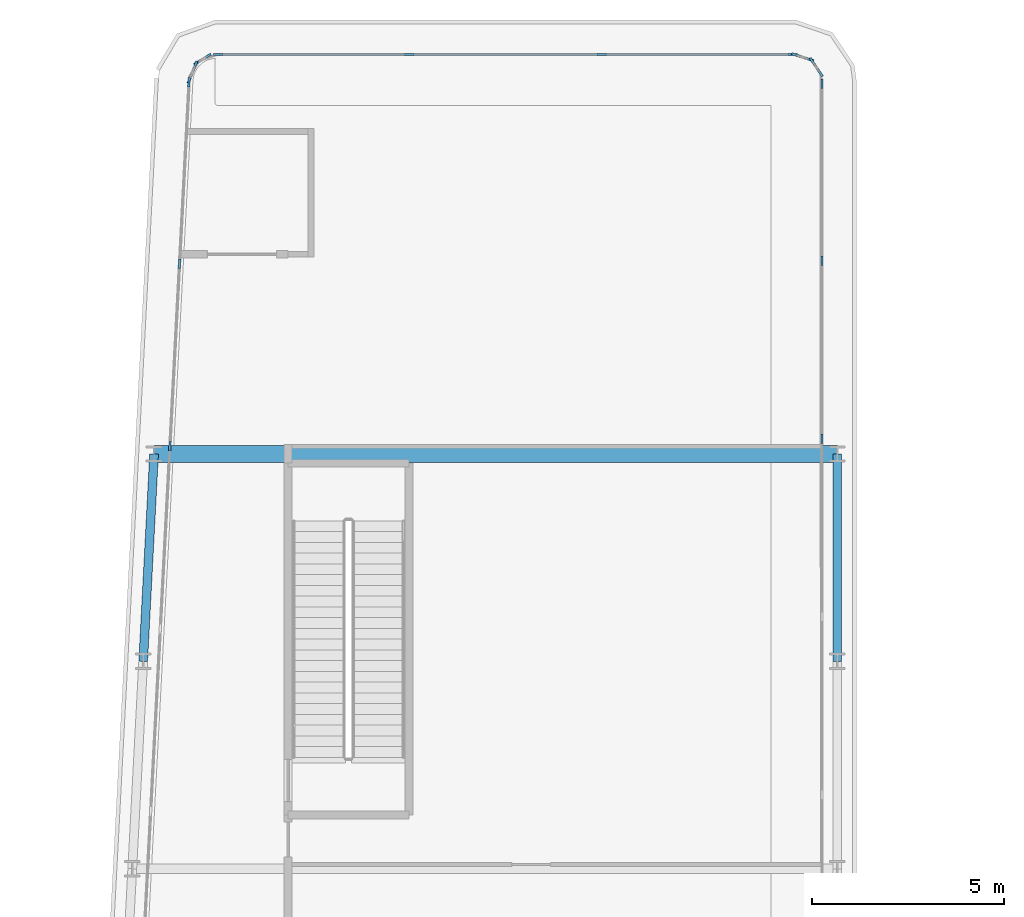
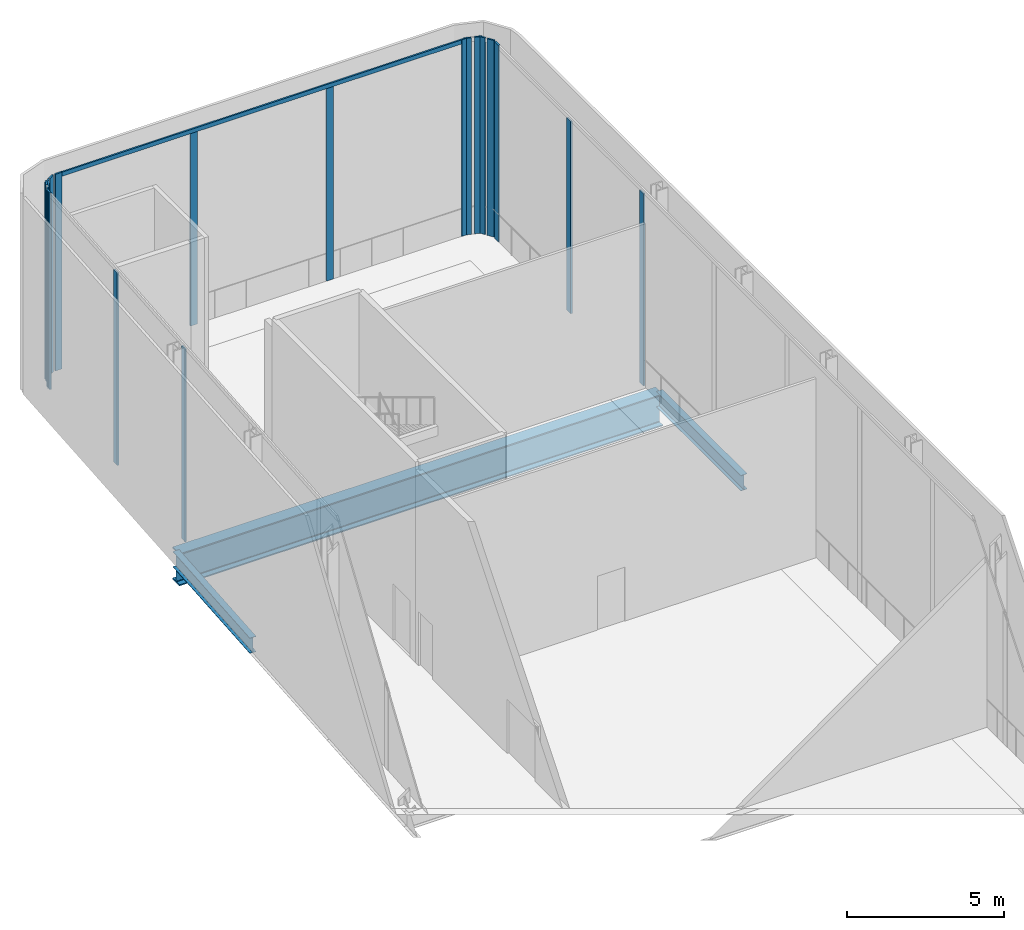
# One storey, part 18 of 37: 19 members, 3 beams, 7 elements without a shape of their own.
"""IFC4 building model written with IfcOpenShell, lengths in metres."""

from ifc_helpers import new_model, si_unit, direction, frame, origin, origin_2d, place, context, subcontext, project, spatial, rectangle, i_section, extrude, material, layer, layer_set, material_profile, profile_set, type_object, element, aggregate, save


model = new_model("IFC4")

# Units and contexts
model_context = context("Model", 3, precision=1e-05, world=origin(), true_north=direction((0.0, 1.0)))
body_context = subcontext(model_context, "Body", "Model", "MODEL_VIEW")
ifc_project = project(units=[si_unit("LENGTHUNIT", "METRE"), si_unit("AREAUNIT", "SQUARE_METRE"), si_unit("VOLUMEUNIT", "CUBIC_METRE"), si_unit("PLANEANGLEUNIT", "RADIAN"), si_unit("MASSUNIT", "GRAM", prefix="KILO")], contexts=[model_context])

# Site, building, storey
site_placement = place(None, origin())
site = spatial("IfcSite", under=ifc_project, at=site_placement, CompositionType="ELEMENT")
building_placement = place(site_placement, origin())
building = spatial("IfcBuilding", under=site, at=building_placement, Name="Kheshtan School and Residences Tower", CompositionType="ELEMENT")
storey_placement = place(building_placement, frame((0.0, 0.0, 144.800048828125)))
storey = spatial("IfcBuildingStorey", under=building, at=storey_placement, Name="L34", CompositionType="ELEMENT", Elevation=144.800048828125)

# Beams
ifc_material_1 = material(Name="Steel ASTM A992 Grade 50", Category="steel")
ifc_material_profile_1 = material_profile(ifc_material_1, i_section(OverallWidth=0.22802734375, OverallDepth=0.60302734375, WebThickness=0.010498046875, FlangeThickness=0.014892578125, FilletRadius=0.013427734375, at=origin_2d()), Name="W610x101")
ifc_profile_set_1 = profile_set([ifc_material_profile_1], Name="Steel ASTM A992 Grade 50")
beam_type_1 = type_object("IfcBeamType", Name="Beam SP2 W610x101 ASTM A992 Grade 50", PredefinedType="BEAM", material=ifc_profile_set_1)
beam_1_placement = place(storey_placement, frame((47.60009765625, 88.800048828125, -0.45166015625), z_axis=(0.0, -1.0, 0.0), x_axis=(1.0, 0.0, 0.0)))
element("IfcBeam", 1, at=beam_1_placement, inside=storey, type_object=beam_type_1, Name="Spandrel beam C099-C091", PredefinedType="BEAM", context=body_context, shape_type="SweptSolid", body=[
    extrude(i_section(OverallWidth=0.22802734375, OverallDepth=0.60302734375, WebThickness=0.010498046875, FlangeThickness=0.014892578125, FilletRadius=0.013427734375, at=origin_2d()), origin(), (0.0, 0.0, 1.0), 5.400146484375),
])
beam_2_placement = place(storey_placement, frame((29.527099609375, 83.39990234375, -0.45166015625), z_axis=(0.05250670125, 0.998620571751, 0.0), x_axis=(-0.998620571751, 0.05250670125, 0.0)))
element("IfcBeam", 2, at=beam_2_placement, inside=storey, type_object=beam_type_1, Name="Spandrel beam C090-C098", PredefinedType="BEAM", context=body_context, shape_type="SweptSolid", body=[
    extrude(i_section(OverallWidth=0.22802734375, OverallDepth=0.60302734375, WebThickness=0.010498046875, FlangeThickness=0.014892578125, FilletRadius=0.013427734375, at=origin_2d()), origin(), (0.0, 0.0, 1.0), 5.40771484375),
])

# Curtain wall, members
ifc_material_2 = material(Name="Clear low-e glass in thermally broken aluminium frame", Category="aluminium")
ifc_layer = layer(ifc_material_2, 0.25)
ifc_layer_set = layer_set([ifc_layer], Name="Curtain wall CW-K")
curtain_wall_type = type_object("IfcCurtainWallType", Name="Curtain wall CW-K", PredefinedType="NOTDEFINED", material=ifc_layer_set)
curtain_wall_1_placement = place(storey_placement, origin())
curtain_wall_1 = element("IfcCurtainWall", 3, at=curtain_wall_1_placement, inside=storey, type_object=curtain_wall_type, Name="Curtain wall CWK18", PredefinedType="NOTDEFINED")
ifc_material_3 = material(Name="Thermally broken aluminium, dark bronze anodised", Category="aluminium")
ifc_material_profile_2 = material_profile(ifc_material_3, rectangle(XDim=0.06005859375, YDim=0.25, at=origin_2d()), Name="CW-K mullion 60x250")
ifc_profile_set_2 = profile_set([ifc_material_profile_2], Name="Thermally broken aluminium, dark bronze anodised")
member_type_1 = type_object("IfcMemberType", Name="CW-K mullion 60x250", PredefinedType="MULLION", material=ifc_profile_set_2)
member_1_placement = place(storey_placement, frame((30.221923828125, 89.001953125, 0.0), z_axis=(0.0, 0.0, 1.0), x_axis=(-0.998617497599, 0.05256513568, 0.0)))
member_1 = element("IfcMember", 4, at=member_1_placement, type_object=member_type_1, Name="CWK18 mullion 13", PredefinedType="MULLION", context=body_context, shape_type="SweptSolid", body=[
    extrude(rectangle(XDim=0.06005859375, YDim=0.25, at=origin_2d()), origin(), (0.0, 0.0, 1.0), 7.489990234375),
])
member_2_placement = place(storey_placement, frame((30.471923828125, 93.754150390625, 0.0), z_axis=(0.0, 0.0, 1.0), x_axis=(-0.998617497599, 0.05256513568, 0.0)))
member_2 = element("IfcMember", 5, at=member_2_placement, type_object=member_type_1, Name="CWK18 mullion 14", PredefinedType="MULLION", context=body_context, shape_type="SweptSolid", body=[
    extrude(rectangle(XDim=0.06005859375, YDim=0.25, at=origin_2d()), origin(), (0.0, 0.0, 1.0), 7.489990234375),
])
member_3_placement = place(storey_placement, frame((30.720458984375, 98.476318359375, 0.0), z_axis=(0.0, 0.0, 1.0), x_axis=(-0.998617497599, 0.05256513568, 0.0)))
member_3 = element("IfcMember", 6, at=member_3_placement, type_object=member_type_1, Name="CWK18 mullion 15", PredefinedType="MULLION", context=body_context, shape_type="SweptSolid", body=[
    extrude(rectangle(XDim=0.06005859375, YDim=0.25, at=origin_2d()), origin(), (0.0, 0.0, 1.0), 7.64990234375),
])
aggregate(curtain_wall_1, [member_1, member_2, member_3])

curtain_wall_2_placement = place(storey_placement, origin())
curtain_wall_2 = element("IfcCurtainWall", 7, at=curtain_wall_2_placement, inside=storey, type_object=curtain_wall_type, Name="Curtain wall CWK19", PredefinedType="NOTDEFINED")
member_4_placement = place(storey_placement, frame((30.740234375, 98.56591796875, 0.0), z_axis=(0.0, 0.0, 1.0), x_axis=(-0.928635523576, 0.370993348125, 0.0)))
member_4 = element("IfcMember", 8, at=member_4_placement, type_object=member_type_1, Name="CWK19 mullion 1", PredefinedType="MULLION", context=body_context, shape_type="SweptSolid", body=[
    extrude(rectangle(XDim=0.06005859375, YDim=0.25, at=origin_2d()), origin(), (0.0, 0.0, 1.0), 7.64990234375),
])
member_5_placement = place(storey_placement, frame((30.87890625, 98.913330078125, 0.0), z_axis=(0.0, 0.0, 1.0), x_axis=(-0.928635523576, 0.370993348125, 0.0)))
member_5 = element("IfcMember", 9, at=member_5_placement, type_object=member_type_1, Name="CWK19 mullion 2", PredefinedType="MULLION", context=body_context, shape_type="SweptSolid", body=[
    extrude(rectangle(XDim=0.06005859375, YDim=0.25, at=origin_2d()), origin(), (0.0, 0.0, 1.0), 7.64990234375),
])
aggregate(curtain_wall_2, [member_4, member_5])

curtain_wall_3_placement = place(storey_placement, origin())
curtain_wall_3 = element("IfcCurtainWall", 10, at=curtain_wall_3_placement, inside=storey, type_object=curtain_wall_type, Name="Curtain wall CWK20", PredefinedType="NOTDEFINED")
member_6_placement = place(storey_placement, frame((30.9560546875, 99.0048828125, 0.0), z_axis=(0.0, 0.0, 1.0), x_axis=(-0.52392646803, 0.851763497749, 0.0)))
member_6 = element("IfcMember", 11, at=member_6_placement, type_object=member_type_1, Name="CWK20 mullion 1", PredefinedType="MULLION", context=body_context, shape_type="SweptSolid", body=[
    extrude(rectangle(XDim=0.06005859375, YDim=0.25, at=origin_2d()), origin(), (0.0, 0.0, 1.0), 7.64990234375),
])
member_7_placement = place(storey_placement, frame((31.18310546875, 99.14453125, 0.0), z_axis=(0.0, 0.0, 1.0), x_axis=(-0.52392646803, 0.851763497749, 0.0)))
member_7 = element("IfcMember", 12, at=member_7_placement, type_object=member_type_1, Name="CWK20 mullion 2", PredefinedType="MULLION", context=body_context, shape_type="SweptSolid", body=[
    extrude(rectangle(XDim=0.06005859375, YDim=0.25, at=origin_2d()), origin(), (0.0, 0.0, 1.0), 7.64990234375),
])
aggregate(curtain_wall_3, [member_6, member_7])

curtain_wall_4_placement = place(storey_placement, origin())
curtain_wall_4 = element("IfcCurtainWall", 13, at=curtain_wall_4_placement, inside=storey, type_object=curtain_wall_type, Name="Curtain wall CWK21", PredefinedType="NOTDEFINED")
member_8_placement = place(storey_placement, frame((31.48388671875, 99.199951171875, 0.0), z_axis=(0.0, 0.0, 1.0), x_axis=(0.0, 1.0, 0.0)))
member_8 = element("IfcMember", 14, at=member_8_placement, type_object=member_type_1, Name="CWK21 mullion 1", PredefinedType="MULLION", context=body_context, shape_type="SweptSolid", body=[
    extrude(rectangle(XDim=0.06005859375, YDim=0.25, at=origin_2d()), origin(), (0.0, 0.0, 1.0), 7.64990234375),
])
member_9_placement = place(storey_placement, frame((36.459228515625, 99.199951171875, 0.0), z_axis=(0.0, 0.0, 1.0), x_axis=(0.0, 1.0, 0.0)))
member_9 = element("IfcMember", 15, at=member_9_placement, type_object=member_type_1, Name="CWK21 mullion 2", PredefinedType="MULLION", context=body_context, shape_type="SweptSolid", body=[
    extrude(rectangle(XDim=0.06005859375, YDim=0.25, at=origin_2d()), origin(), (0.0, 0.0, 1.0), 7.489990234375),
])
member_10_placement = place(storey_placement, frame((41.464599609375, 99.199951171875, 0.0), z_axis=(0.0, 0.0, 1.0), x_axis=(0.0, 1.0, 0.0)))
member_10 = element("IfcMember", 16, at=member_10_placement, type_object=member_type_1, Name="CWK21 mullion 3", PredefinedType="MULLION", context=body_context, shape_type="SweptSolid", body=[
    extrude(rectangle(XDim=0.06005859375, YDim=0.25, at=origin_2d()), origin(), (0.0, 0.0, 1.0), 7.489990234375),
])
member_11_placement = place(storey_placement, frame((46.43994140625, 99.199951171875, 0.0), z_axis=(0.0, 0.0, 1.0), x_axis=(0.0, 1.0, 0.0)))
member_11 = element("IfcMember", 17, at=member_11_placement, type_object=member_type_1, Name="CWK21 mullion 4", PredefinedType="MULLION", context=body_context, shape_type="SweptSolid", body=[
    extrude(rectangle(XDim=0.06005859375, YDim=0.25, at=origin_2d()), origin(), (0.0, 0.0, 1.0), 7.64990234375),
])

curtain_wall_5_placement = place(storey_placement, origin())
curtain_wall_5 = element("IfcCurtainWall", 18, at=curtain_wall_5_placement, inside=storey, type_object=curtain_wall_type, Name="Curtain wall CWK22", PredefinedType="NOTDEFINED")
member_12_placement = place(storey_placement, frame((46.529052734375, 99.18603515625, 0.0), z_axis=(0.0, 0.0, 1.0), x_axis=(0.303900450271, 0.952703792543, 0.0)))
member_12 = element("IfcMember", 19, at=member_12_placement, type_object=member_type_1, Name="CWK22 mullion 1", PredefinedType="MULLION", context=body_context, shape_type="SweptSolid", body=[
    extrude(rectangle(XDim=0.06005859375, YDim=0.25, at=origin_2d()), origin(), (0.0, 0.0, 1.0), 7.64990234375),
])
member_13_placement = place(storey_placement, frame((46.86669921875, 99.078369140625, 0.0), z_axis=(0.0, 0.0, 1.0), x_axis=(0.303900450271, 0.952703792543, 0.0)))
member_13 = element("IfcMember", 20, at=member_13_placement, type_object=member_type_1, Name="CWK22 mullion 2", PredefinedType="MULLION", context=body_context, shape_type="SweptSolid", body=[
    extrude(rectangle(XDim=0.06005859375, YDim=0.25, at=origin_2d()), origin(), (0.0, 0.0, 1.0), 7.64990234375),
])
aggregate(curtain_wall_5, [member_12, member_13])

curtain_wall_6_placement = place(storey_placement, origin())
curtain_wall_6 = element("IfcCurtainWall", 21, at=curtain_wall_6_placement, inside=storey, type_object=curtain_wall_type, Name="Curtain wall CWK23", PredefinedType="NOTDEFINED")
member_14_placement = place(storey_placement, frame((46.96484375, 99.004638671875, 0.0), z_axis=(0.0, 0.0, 1.0), x_axis=(0.831648992198, 0.555301678168, 0.0)))
member_14 = element("IfcMember", 22, at=member_14_placement, type_object=member_type_1, Name="CWK23 mullion 1", PredefinedType="MULLION", context=body_context, shape_type="SweptSolid", body=[
    extrude(rectangle(XDim=0.06005859375, YDim=0.25, at=origin_2d()), origin(), (0.0, 0.0, 1.0), 7.64990234375),
])
member_15_placement = place(storey_placement, frame((47.14453125, 98.735595703125, 0.0), z_axis=(0.0, 0.0, 1.0), x_axis=(0.831648992198, 0.555301678168, 0.0)))
member_15 = element("IfcMember", 23, at=member_15_placement, type_object=member_type_1, Name="CWK23 mullion 2", PredefinedType="MULLION", context=body_context, shape_type="SweptSolid", body=[
    extrude(rectangle(XDim=0.06005859375, YDim=0.25, at=origin_2d()), origin(), (0.0, 0.0, 1.0), 7.64990234375),
])
aggregate(curtain_wall_6, [member_14, member_15])

curtain_wall_7_placement = place(storey_placement, origin())
curtain_wall_7 = element("IfcCurtainWall", 24, at=curtain_wall_7_placement, inside=storey, type_object=curtain_wall_type, Name="Curtain wall CWK24", PredefinedType="NOTDEFINED")
member_16_placement = place(storey_placement, frame((47.199951171875, 98.43994140625, 0.0), z_axis=(0.0, 0.0, 1.0), x_axis=(1.0, 0.0, 0.0)))
member_16 = element("IfcMember", 25, at=member_16_placement, type_object=member_type_1, Name="CWK24 mullion 1", PredefinedType="MULLION", context=body_context, shape_type="SweptSolid", body=[
    extrude(rectangle(XDim=0.06005859375, YDim=0.25, at=origin_2d()), origin(), (0.0, 0.0, 1.0), 7.64990234375),
])
member_17_placement = place(storey_placement, frame((47.199951171875, 93.83349609375, 0.0), z_axis=(0.0, 0.0, 1.0), x_axis=(1.0, 0.0, 0.0)))
member_17 = element("IfcMember", 26, at=member_17_placement, type_object=member_type_1, Name="CWK24 mullion 2", PredefinedType="MULLION", context=body_context, shape_type="SweptSolid", body=[
    extrude(rectangle(XDim=0.06005859375, YDim=0.25, at=origin_2d()), origin(), (0.0, 0.0, 1.0), 7.489990234375),
])
member_18_placement = place(storey_placement, frame((47.199951171875, 89.197021484375, 0.0), z_axis=(0.0, 0.0, 1.0), x_axis=(1.0, 0.0, 0.0)))
member_18 = element("IfcMember", 27, at=member_18_placement, type_object=member_type_1, Name="CWK24 mullion 3", PredefinedType="MULLION", context=body_context, shape_type="SweptSolid", body=[
    extrude(rectangle(XDim=0.06005859375, YDim=0.25, at=origin_2d()), origin(), (0.0, 0.0, 1.0), 7.489990234375),
])
aggregate(curtain_wall_7, [member_16, member_17, member_18])

# Member
ifc_material_profile_3 = material_profile(ifc_material_3, rectangle(XDim=0.06005859375, YDim=0.159912109375, at=origin_2d()), Name="CW-K transom 60x160")
ifc_profile_set_3 = profile_set([ifc_material_profile_3], Name="Thermally broken aluminium, dark bronze anodised")
member_type_2 = type_object("IfcMemberType", Name="CW-K transom 60x160", PredefinedType="USERDEFINED", material=ifc_profile_set_3)
member_19_placement = place(storey_placement, frame((31.513916015625, 99.199951171875, 7.570068359375), z_axis=(1.0, 0.0, 0.0), x_axis=(0.0, 1.0, 0.0)))
member_19 = element("IfcMember", 28, at=member_19_placement, type_object=member_type_2, Name="CWK21 transom 1", ObjectType="TRANSOM", PredefinedType="USERDEFINED", context=body_context, shape_type="SweptSolid", body=[
    extrude(rectangle(XDim=0.06005859375, YDim=0.159912109375, at=origin_2d()), origin(), (0.0, 0.0, 1.0), 14.89599609375),
])

aggregate(curtain_wall_4, [member_8, member_9, member_10, member_11, member_19])

# Beam
ifc_material_profile_4 = material_profile(ifc_material_1, i_section(OverallWidth=0.449951171875, OverallDepth=1.25, WebThickness=0.02490234375, FlangeThickness=0.044921875, FilletRadius=0.03759765625, at=origin_2d()), Name="WWF1250x546")
ifc_profile_set_4 = profile_set([ifc_material_profile_4], Name="Steel ASTM A992 Grade 50")
beam_type_2 = type_object("IfcBeamType", Name="Transfer girder TG4 WWF1250x546 ASTM A992 Grade 50", PredefinedType="BEAM", material=ifc_profile_set_4)
beam_3_placement = place(storey_placement, frame((29.81103515625, 88.800048828125, -0.775146484375), z_axis=(1.0, 0.0, 0.0), x_axis=(0.0, 1.0, 0.0)))
element("IfcBeam", 29, at=beam_3_placement, inside=storey, type_object=beam_type_2, Name="Transfer girder C098-C099", PredefinedType="BEAM", context=body_context, shape_type="SweptSolid", body=[
    extrude(i_section(OverallWidth=0.449951171875, OverallDepth=1.25, WebThickness=0.02490234375, FlangeThickness=0.044921875, FilletRadius=0.03759765625, at=origin_2d()), origin(), (0.0, 0.0, 1.0), 17.7890625),
])

save(model, "model.ifc")
